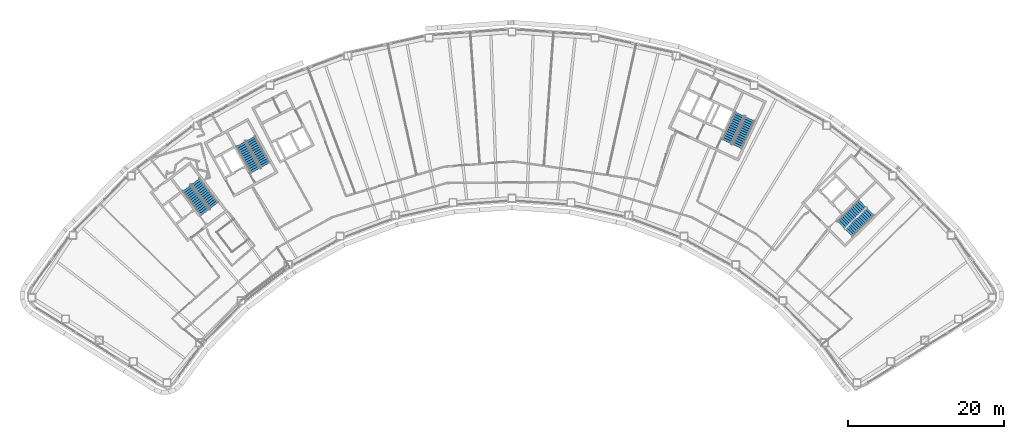
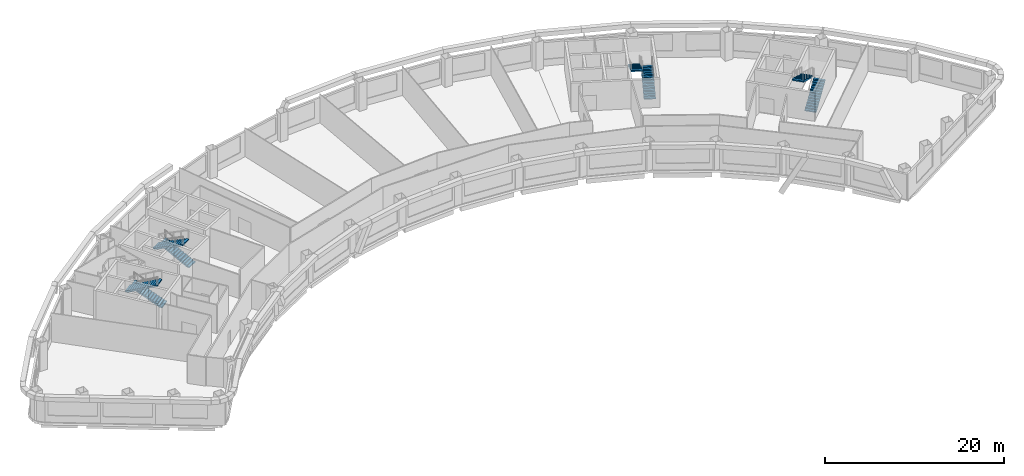
# One storey, part 9 of 11: 8 stair flights, 4 elements without a shape of their own.
"""IFC4 building model written with IfcOpenShell, lengths in metres."""

from ifc_helpers import new_model, si_unit, direction, frame, origin, place, context, subcontext, project, spatial, polyline, outline, extrude, material, type_object, element, aggregate, save


model = new_model("IFC4")

# Units and contexts
model_context = context("Model", 3, precision=1e-05, world=origin(), true_north=direction((0.0, 1.0)))
body_context = subcontext(model_context, "Body", "Model", "MODEL_VIEW")
ifc_project = project(units=[si_unit("LENGTHUNIT", "METRE"), si_unit("AREAUNIT", "SQUARE_METRE"), si_unit("VOLUMEUNIT", "CUBIC_METRE"), si_unit("PLANEANGLEUNIT", "RADIAN"), si_unit("MASSUNIT", "GRAM", prefix="KILO")], contexts=[model_context])

# Site, building, storey
site_placement = place(None, origin())
site = spatial("IfcSite", under=ifc_project, at=site_placement, CompositionType="ELEMENT")
building_placement = place(site_placement, origin())
building = spatial("IfcBuilding", under=site, at=building_placement, Name="Tuul Gate Civic Tower", CompositionType="ELEMENT")
storey_placement = place(building_placement, frame((0.0, 0.0, 159.199951171875)))
storey = spatial("IfcBuildingStorey", under=building, at=storey_placement, Name="Level 36", CompositionType="ELEMENT", Elevation=159.199951171875)

# Stair, stair flights
ifc_material_1 = material(Name="Concrete C40/50", Category="concrete")
stair_type = type_object("IfcStairType", Name="Exit stair", PredefinedType="HALF_TURN_STAIR", material=ifc_material_1)
stair_1_placement = place(storey_placement, origin())
stair_1 = element("IfcStair", 1, at=stair_1_placement, inside=storey, type_object=stair_type, Name="Level 36 ST-1", PredefinedType="HALF_TURN_STAIR")
ifc_material_2 = material(Name="Concrete C40/50", Category="concrete")
stair_flight_type = type_object("IfcStairFlightType", Name="Exit stair flight", PredefinedType="STRAIGHT", material=ifc_material_2)
stair_flight_1_placement = place(storey_placement, frame((-32.875244140625, -13.066650390625, 0.0), z_axis=(0.0, 0.0, 1.0), x_axis=(-0.605764474941, 0.795644016442, 0.0)))
stair_flight_1 = element("IfcStairFlight", 2, at=stair_flight_1_placement, type_object=stair_flight_type, Name="ST-1 flight 1", NumberOfRisers=14, NumberOfTreads=13, PredefinedType="STRAIGHT", RiserHeight=0.15, TreadLength=0.3, context=body_context, shape_type="SweptSolid", body=[
    extrude(outline(polyline([(0.0, 0.0), (0.0, 0.14990234375), (0.300048828125, 0.14990234375), (0.300048828125, 0.300048828125), (0.60009765625, 0.300048828125), (0.60009765625, 0.449951171875), (0.89990234375, 0.449951171875), (0.89990234375, 0.60009765625), (1.199951171875, 0.60009765625), (1.199951171875, 0.75), (1.5, 0.75), (1.5, 0.89990234375), (1.800048828125, 0.89990234375), (1.800048828125, 1.050048828125), (2.10009765625, 1.050048828125), (2.10009765625, 1.199951171875), (2.39990234375, 1.199951171875), (2.39990234375, 1.35009765625), (2.699951171875, 1.35009765625), (2.699951171875, 1.5), (3.0, 1.5), (3.0, 1.64990234375), (3.300048828125, 1.64990234375), (3.300048828125, 1.800048828125), (3.60009765625, 1.800048828125), (3.60009765625, 1.949951171875), (3.89990234375, 1.949951171875), (3.89990234375, 2.10009765625), (3.89990234375, 1.782470703125), (0.335205078125, 0.0), (0.0, 0.0)])), frame((0.0, 0.675048828125, 0.0), z_axis=(0.0, -1.0, 0.0), x_axis=(1.0, 0.0, 0.0)), (0.0, 0.0, 1.0), 1.35009765625),
])
stair_flight_2_placement = place(storey_placement, frame((-36.391357421875, -10.842041015625, 2.10009765625), z_axis=(0.0, 0.0, 1.0), x_axis=(0.605764474941, -0.795644016442, 0.0)))
stair_flight_2 = element("IfcStairFlight", 3, at=stair_flight_2_placement, type_object=stair_flight_type, Name="ST-1 flight 2", NumberOfRisers=14, NumberOfTreads=13, PredefinedType="STRAIGHT", RiserHeight=0.15, TreadLength=0.3, context=body_context, shape_type="SweptSolid", body=[
    extrude(outline(polyline([(0.0, 0.0), (0.0, 0.14990234375), (0.300048828125, 0.14990234375), (0.300048828125, 0.300048828125), (0.60009765625, 0.300048828125), (0.60009765625, 0.449951171875), (0.89990234375, 0.449951171875), (0.89990234375, 0.60009765625), (1.199951171875, 0.60009765625), (1.199951171875, 0.75), (1.5, 0.75), (1.5, 0.89990234375), (1.800048828125, 0.89990234375), (1.800048828125, 1.050048828125), (2.10009765625, 1.050048828125), (2.10009765625, 1.199951171875), (2.39990234375, 1.199951171875), (2.39990234375, 1.35009765625), (2.699951171875, 1.35009765625), (2.699951171875, 1.5), (3.0, 1.5), (3.0, 1.64990234375), (3.300048828125, 1.64990234375), (3.300048828125, 1.800048828125), (3.60009765625, 1.800048828125), (3.60009765625, 1.949951171875), (3.89990234375, 1.949951171875), (3.89990234375, 2.10009765625), (3.89990234375, 1.782470703125), (0.335205078125, 0.0), (0.0, 0.0)])), frame((0.0, 0.675048828125, 0.0), z_axis=(0.0, -1.0, 0.0), x_axis=(1.0, 0.0, 0.0)), (0.0, 0.0, 1.0), 1.35009765625),
])
aggregate(stair_1, [stair_flight_1, stair_flight_2])

stair_2_placement = place(storey_placement, origin())
stair_2 = element("IfcStair", 4, at=stair_2_placement, inside=storey, type_object=stair_type, Name="Level 36 ST-2", PredefinedType="HALF_TURN_STAIR")
stair_flight_3_placement = place(storey_placement, frame((-26.29150390625, -7.87646484375, 0.0), z_axis=(0.0, 0.0, 1.0), x_axis=(-0.484761763766, 0.874646232708, 0.0)))
stair_flight_3 = element("IfcStairFlight", 5, at=stair_flight_3_placement, type_object=stair_flight_type, Name="ST-2 flight 1", NumberOfRisers=14, NumberOfTreads=13, PredefinedType="STRAIGHT", RiserHeight=0.15, TreadLength=0.3, context=body_context, shape_type="SweptSolid", body=[
    extrude(outline(polyline([(0.0, 0.0), (0.0, 0.14990234375), (0.300048828125, 0.14990234375), (0.300048828125, 0.300048828125), (0.60009765625, 0.300048828125), (0.60009765625, 0.449951171875), (0.89990234375, 0.449951171875), (0.89990234375, 0.60009765625), (1.199951171875, 0.60009765625), (1.199951171875, 0.75), (1.5, 0.75), (1.5, 0.89990234375), (1.800048828125, 0.89990234375), (1.800048828125, 1.050048828125), (2.10009765625, 1.050048828125), (2.10009765625, 1.199951171875), (2.39990234375, 1.199951171875), (2.39990234375, 1.35009765625), (2.699951171875, 1.35009765625), (2.699951171875, 1.5), (3.0, 1.5), (3.0, 1.64990234375), (3.300048828125, 1.64990234375), (3.300048828125, 1.800048828125), (3.60009765625, 1.800048828125), (3.60009765625, 1.949951171875), (3.89990234375, 1.949951171875), (3.89990234375, 2.10009765625), (3.89990234375, 1.782470703125), (0.335205078125, 0.0), (0.0, 0.0)])), frame((0.0, 0.675048828125, 0.0), z_axis=(0.0, -1.0, 0.0), x_axis=(1.0, 0.0, 0.0)), (0.0, 0.0, 1.0), 1.35009765625),
])
stair_flight_4_placement = place(storey_placement, frame((-29.450439453125, -5.168212890625, 2.10009765625), z_axis=(0.0, 0.0, 1.0), x_axis=(0.484761763766, -0.874646232708, 0.0)))
stair_flight_4 = element("IfcStairFlight", 6, at=stair_flight_4_placement, type_object=stair_flight_type, Name="ST-2 flight 2", NumberOfRisers=14, NumberOfTreads=13, PredefinedType="STRAIGHT", RiserHeight=0.15, TreadLength=0.3, context=body_context, shape_type="SweptSolid", body=[
    extrude(outline(polyline([(0.0, 0.0), (0.0, 0.14990234375), (0.300048828125, 0.14990234375), (0.300048828125, 0.300048828125), (0.60009765625, 0.300048828125), (0.60009765625, 0.449951171875), (0.89990234375, 0.449951171875), (0.89990234375, 0.60009765625), (1.199951171875, 0.60009765625), (1.199951171875, 0.75), (1.5, 0.75), (1.5, 0.89990234375), (1.800048828125, 0.89990234375), (1.800048828125, 1.050048828125), (2.10009765625, 1.050048828125), (2.10009765625, 1.199951171875), (2.39990234375, 1.199951171875), (2.39990234375, 1.35009765625), (2.699951171875, 1.35009765625), (2.699951171875, 1.5), (3.0, 1.5), (3.0, 1.64990234375), (3.300048828125, 1.64990234375), (3.300048828125, 1.800048828125), (3.60009765625, 1.800048828125), (3.60009765625, 1.949951171875), (3.89990234375, 1.949951171875), (3.89990234375, 2.10009765625), (3.89990234375, 1.782470703125), (0.335205078125, 0.0), (0.0, 0.0)])), frame((0.0, 0.675048828125, 0.0), z_axis=(0.0, -1.0, 0.0), x_axis=(1.0, 0.0, 0.0)), (0.0, 0.0, 1.0), 1.35009765625),
])
aggregate(stair_2, [stair_flight_3, stair_flight_4])

stair_3_placement = place(storey_placement, origin())
stair_3 = element("IfcStair", 7, at=stair_3_placement, inside=storey, type_object=stair_type, Name="Level 36 ST-3", PredefinedType="HALF_TURN_STAIR")
stair_flight_5_placement = place(storey_placement, frame((48.61376953125, -16.581787109375, 0.0), z_axis=(0.0, 0.0, 1.0), x_axis=(0.714127290059, 0.700015866672, 0.0)))
stair_flight_5 = element("IfcStairFlight", 8, at=stair_flight_5_placement, type_object=stair_flight_type, Name="ST-3 flight 1", NumberOfRisers=14, NumberOfTreads=13, PredefinedType="STRAIGHT", RiserHeight=0.15, TreadLength=0.3, context=body_context, shape_type="SweptSolid", body=[
    extrude(outline(polyline([(0.0, 0.0), (0.0, 0.14990234375), (0.300048828125, 0.14990234375), (0.300048828125, 0.300048828125), (0.60009765625, 0.300048828125), (0.60009765625, 0.449951171875), (0.89990234375, 0.449951171875), (0.89990234375, 0.60009765625), (1.199951171875, 0.60009765625), (1.199951171875, 0.75), (1.5, 0.75), (1.5, 0.89990234375), (1.800048828125, 0.89990234375), (1.800048828125, 1.050048828125), (2.10009765625, 1.050048828125), (2.10009765625, 1.199951171875), (2.39990234375, 1.199951171875), (2.39990234375, 1.35009765625), (2.699951171875, 1.35009765625), (2.699951171875, 1.5), (3.0, 1.5), (3.0, 1.64990234375), (3.300048828125, 1.64990234375), (3.300048828125, 1.800048828125), (3.60009765625, 1.800048828125), (3.60009765625, 1.949951171875), (3.89990234375, 1.949951171875), (3.89990234375, 2.10009765625), (3.89990234375, 1.782470703125), (0.335205078125, 0.0), (0.0, 0.0)])), frame((0.0, 0.675048828125, 0.0), z_axis=(0.0, -1.0, 0.0), x_axis=(1.0, 0.0, 0.0)), (0.0, 0.0, 1.0), 1.35009765625),
])
stair_flight_6_placement = place(storey_placement, frame((50.3837890625, -12.816162109375, 2.10009765625), z_axis=(0.0, 0.0, 1.0), x_axis=(-0.714127290059, -0.700015866672, 0.0)))
stair_flight_6 = element("IfcStairFlight", 9, at=stair_flight_6_placement, type_object=stair_flight_type, Name="ST-3 flight 2", NumberOfRisers=14, NumberOfTreads=13, PredefinedType="STRAIGHT", RiserHeight=0.15, TreadLength=0.3, context=body_context, shape_type="SweptSolid", body=[
    extrude(outline(polyline([(0.0, 0.0), (0.0, 0.14990234375), (0.300048828125, 0.14990234375), (0.300048828125, 0.300048828125), (0.60009765625, 0.300048828125), (0.60009765625, 0.449951171875), (0.89990234375, 0.449951171875), (0.89990234375, 0.60009765625), (1.199951171875, 0.60009765625), (1.199951171875, 0.75), (1.5, 0.75), (1.5, 0.89990234375), (1.800048828125, 0.89990234375), (1.800048828125, 1.050048828125), (2.10009765625, 1.050048828125), (2.10009765625, 1.199951171875), (2.39990234375, 1.199951171875), (2.39990234375, 1.35009765625), (2.699951171875, 1.35009765625), (2.699951171875, 1.5), (3.0, 1.5), (3.0, 1.64990234375), (3.300048828125, 1.64990234375), (3.300048828125, 1.800048828125), (3.60009765625, 1.800048828125), (3.60009765625, 1.949951171875), (3.89990234375, 1.949951171875), (3.89990234375, 2.10009765625), (3.89990234375, 1.782470703125), (0.335205078125, 0.0), (0.0, 0.0)])), frame((0.0, 0.675048828125, 0.0), z_axis=(0.0, -1.0, 0.0), x_axis=(1.0, 0.0, 0.0)), (0.0, 0.0, 1.0), 1.35009765625),
])
aggregate(stair_3, [stair_flight_5, stair_flight_6])

stair_4_placement = place(storey_placement, origin())
stair_4 = element("IfcStair", 10, at=stair_4_placement, inside=storey, type_object=stair_type, Name="Level 36 ST-4", PredefinedType="HALF_TURN_STAIR")
stair_flight_7_placement = place(storey_placement, frame((34.278564453125, -5.478515625, 0.0), z_axis=(0.0, 0.0, 1.0), x_axis=(0.422576295988, 0.906327354806, 0.0)))
stair_flight_7 = element("IfcStairFlight", 11, at=stair_flight_7_placement, type_object=stair_flight_type, Name="ST-4 flight 1", NumberOfRisers=14, NumberOfTreads=13, PredefinedType="STRAIGHT", RiserHeight=0.15, TreadLength=0.3, context=body_context, shape_type="SweptSolid", body=[
    extrude(outline(polyline([(0.0, 0.0), (0.0, 0.14990234375), (0.300048828125, 0.14990234375), (0.300048828125, 0.300048828125), (0.60009765625, 0.300048828125), (0.60009765625, 0.449951171875), (0.89990234375, 0.449951171875), (0.89990234375, 0.60009765625), (1.199951171875, 0.60009765625), (1.199951171875, 0.75), (1.5, 0.75), (1.5, 0.89990234375), (1.800048828125, 0.89990234375), (1.800048828125, 1.050048828125), (2.10009765625, 1.050048828125), (2.10009765625, 1.199951171875), (2.39990234375, 1.199951171875), (2.39990234375, 1.35009765625), (2.699951171875, 1.35009765625), (2.699951171875, 1.5), (3.0, 1.5), (3.0, 1.64990234375), (3.300048828125, 1.64990234375), (3.300048828125, 1.800048828125), (3.60009765625, 1.800048828125), (3.60009765625, 1.949951171875), (3.89990234375, 1.949951171875), (3.89990234375, 2.10009765625), (3.89990234375, 1.782470703125), (0.335205078125, 0.0), (0.0, 0.0)])), frame((0.0, 0.675048828125, 0.0), z_axis=(0.0, -1.0, 0.0), x_axis=(1.0, 0.0, 0.0)), (0.0, 0.0, 1.0), 1.35009765625),
])
stair_flight_8_placement = place(storey_placement, frame((34.612548828125, -1.3310546875, 2.10009765625), z_axis=(0.0, 0.0, 1.0), x_axis=(-0.422576295988, -0.906327354806, 0.0)))
stair_flight_8 = element("IfcStairFlight", 12, at=stair_flight_8_placement, type_object=stair_flight_type, Name="ST-4 flight 2", NumberOfRisers=14, NumberOfTreads=13, PredefinedType="STRAIGHT", RiserHeight=0.15, TreadLength=0.3, context=body_context, shape_type="SweptSolid", body=[
    extrude(outline(polyline([(0.0, 0.0), (0.0, 0.14990234375), (0.300048828125, 0.14990234375), (0.300048828125, 0.300048828125), (0.60009765625, 0.300048828125), (0.60009765625, 0.449951171875), (0.89990234375, 0.449951171875), (0.89990234375, 0.60009765625), (1.199951171875, 0.60009765625), (1.199951171875, 0.75), (1.5, 0.75), (1.5, 0.89990234375), (1.800048828125, 0.89990234375), (1.800048828125, 1.050048828125), (2.10009765625, 1.050048828125), (2.10009765625, 1.199951171875), (2.39990234375, 1.199951171875), (2.39990234375, 1.35009765625), (2.699951171875, 1.35009765625), (2.699951171875, 1.5), (3.0, 1.5), (3.0, 1.64990234375), (3.300048828125, 1.64990234375), (3.300048828125, 1.800048828125), (3.60009765625, 1.800048828125), (3.60009765625, 1.949951171875), (3.89990234375, 1.949951171875), (3.89990234375, 2.10009765625), (3.89990234375, 1.782470703125), (0.335205078125, 0.0), (0.0, 0.0)])), frame((0.0, 0.675048828125, 0.0), z_axis=(0.0, -1.0, 0.0), x_axis=(1.0, 0.0, 0.0)), (0.0, 0.0, 1.0), 1.35009765625),
])
aggregate(stair_4, [stair_flight_7, stair_flight_8])

save(model, "model.ifc")
